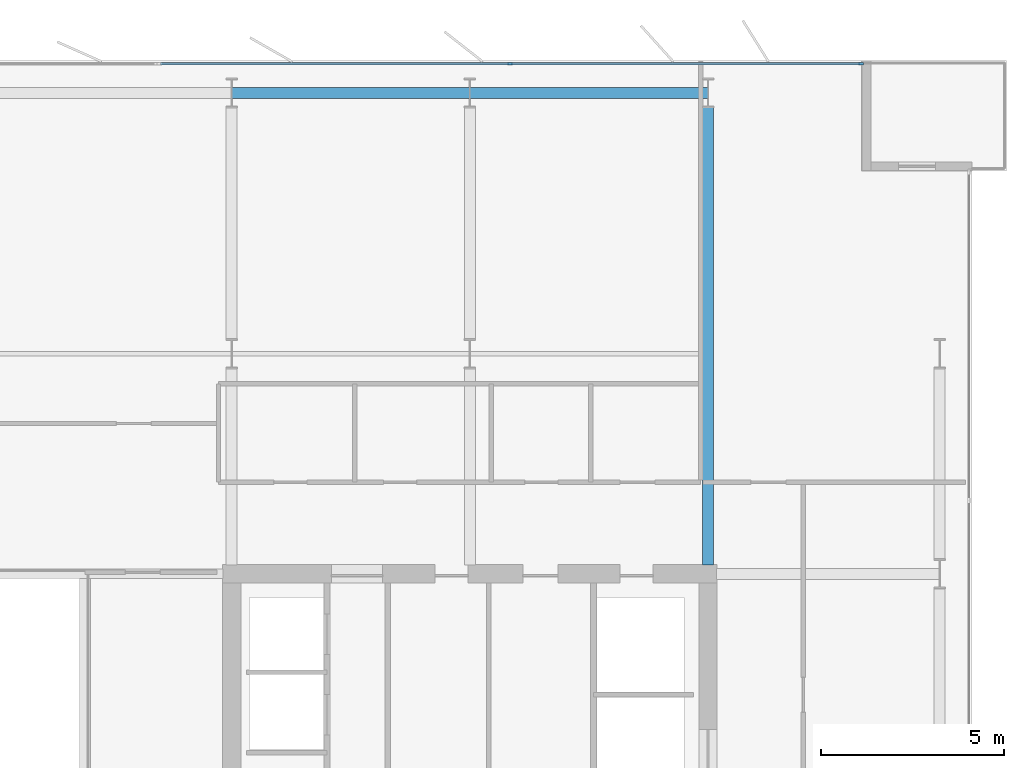
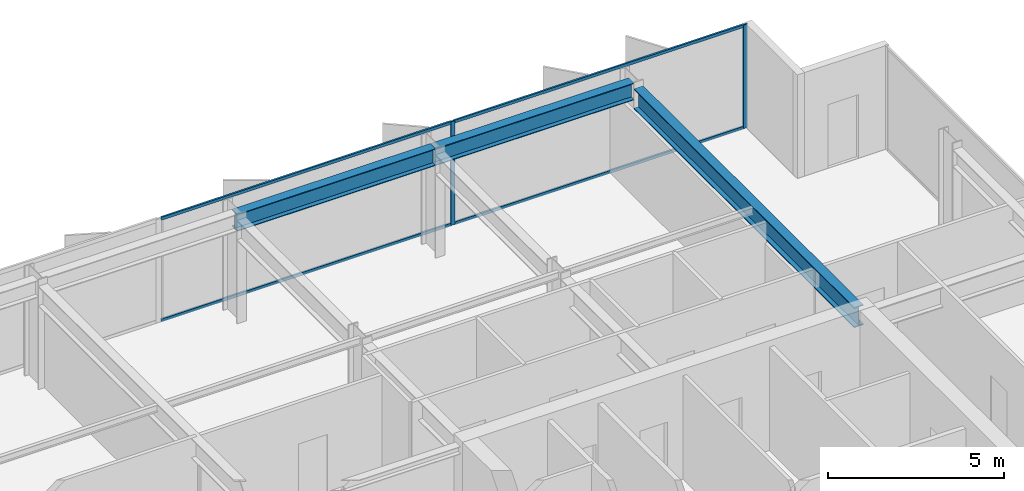
# One storey, part 13 of 23: 6 members, 3 beams, 1 element without a shape of its own.
"""IFC4 building model written with IfcOpenShell, lengths in metres."""

from ifc_helpers import new_model, si_unit, direction, frame, origin, origin_2d, place, context, subcontext, project, spatial, rectangle, i_section, extrude, material, layer, layer_set, material_profile, profile_set, type_object, element, aggregate, save


model = new_model("IFC4")

# Units and contexts
model_context = context("Model", 3, precision=1e-05, world=origin(), true_north=direction((0.0, 1.0)))
body_context = subcontext(model_context, "Body", "Model", "MODEL_VIEW")
ifc_project = project(units=[si_unit("LENGTHUNIT", "METRE"), si_unit("AREAUNIT", "SQUARE_METRE"), si_unit("VOLUMEUNIT", "CUBIC_METRE"), si_unit("PLANEANGLEUNIT", "RADIAN"), si_unit("MASSUNIT", "GRAM", prefix="KILO")], contexts=[model_context])

# Site, building, storey
site_placement = place(None, origin())
site = spatial("IfcSite", under=ifc_project, at=site_placement, CompositionType="ELEMENT")
building_placement = place(site_placement, origin())
building = spatial("IfcBuilding", under=site, at=building_placement, Name="Putna Gate Headquarters", CompositionType="ELEMENT")
storey_placement = place(building_placement, frame((0.0, 0.0, 206.199951171875)))
storey = spatial("IfcBuildingStorey", under=building, at=storey_placement, Name="L51", CompositionType="ELEMENT", Elevation=206.199951171875)

# Beams
ifc_material_1 = material(Name="Steel S355J2", Category="steel")
ifc_material_profile_1 = material_profile(ifc_material_1, i_section(OverallWidth=0.300048828125, OverallDepth=0.699951171875, WebThickness=0.01708984375, FlangeThickness=0.031982421875, at=origin_2d()), Name="Steel S355J2")
ifc_profile_set_1 = profile_set([ifc_material_profile_1], Name="Steel S355J2")
beam_type_1 = type_object("IfcBeamType", Name="BM-GIRD-B-HEB700", PredefinedType="USERDEFINED", material=ifc_profile_set_1)
beam_placement = place(storey_placement, frame((65.0, 33.235107421875, 3.22998046875), z_axis=(0.0, 1.0, 0.0), x_axis=(-1.0, 0.0, 0.0)))
element("IfcBeam", 1, at=beam_placement, inside=storey, type_object=beam_type_1, Name="L51 North Primary Girder X65", ObjectType="GIRDER", PredefinedType="USERDEFINED", context=body_context, shape_type="SweptSolid", body=[
    extrude(i_section(OverallWidth=0.300048828125, OverallDepth=0.699951171875, WebThickness=0.01708984375, FlangeThickness=0.031982421875, at=origin_2d()), origin(), (0.0, 0.0, 1.0), 12.489990234375),
])
ifc_material_profile_2 = material_profile(ifc_material_1, i_section(OverallWidth=0.300048828125, OverallDepth=0.590087890625, WebThickness=0.012939453125, FlangeThickness=0.02490234375, at=origin_2d()), Name="Steel S355J2")
ifc_profile_set_2 = profile_set([ifc_material_profile_2], Name="Steel S355J2")
beam_type_2 = type_object("IfcBeamType", Name="BM-SPAN-Z4-HEA600", PredefinedType="SPANDREL", material=ifc_profile_set_2)
for number, where, z_axis, x_axis, name in (
    (2, (52.006103515625, 46.1201171875, 3.28515625), (1.0, 0.0, 0.0), (0.0, 1.0, 0.0), "L51 N Perimeter Spandrel 7"),
    (3, (58.506103515625, 46.1201171875, 3.28515625), (1.0, 0.0, 0.0), (0.0, 1.0, 0.0), "L51 N Perimeter Spandrel 8"),
):
    element("IfcBeam", number, at=place(storey_placement, frame(where, z_axis=z_axis, x_axis=x_axis)), inside=storey, type_object=beam_type_2, Name=name, PredefinedType="SPANDREL", context=body_context, shape_type="SweptSolid", body=[
        extrude(i_section(OverallWidth=0.300048828125, OverallDepth=0.590087890625, WebThickness=0.012939453125, FlangeThickness=0.02490234375, at=origin_2d()), origin(), (0.0, 0.0, 1.0), 6.48779296875),
    ])

# Curtain wall, members
ifc_material_2 = material(Name="Anodised bronze aluminium curtain wall", Category="aluminium")
ifc_layer = layer(ifc_material_2, 0.139892578125)
ifc_layer_set = layer_set([ifc_layer], Name="Anodised bronze aluminium curtain wall")
curtain_wall_type = type_object("IfcCurtainWallType", Name="CW-SYS-Z4", PredefinedType="USERDEFINED", material=ifc_layer_set)
curtain_wall_placement = place(storey_placement, origin())
curtain_wall = element("IfcCurtainWall", 4, at=curtain_wall_placement, inside=storey, type_object=curtain_wall_type, Name="L51 North East Curtain Wall", ObjectType="STICK CURTAIN WALL", PredefinedType="USERDEFINED")
ifc_material_3 = material(Name="Anodised bronze aluminium EN AW-6060", Category="aluminium")
ifc_material_profile_3 = material_profile(ifc_material_3, rectangle(XDim=0.06005859375, YDim=0.139892578125, at=origin_2d()), Name="Anodised bronze aluminium EN AW-6060")
ifc_profile_set_3 = profile_set([ifc_material_profile_3], Name="Anodised bronze aluminium EN AW-6060")
member_type_1 = type_object("IfcMemberType", Name="MULL-CWM-4", PredefinedType="MULLION", material=ifc_profile_set_3)
member_1_placement = place(storey_placement, frame((59.60009765625, 46.919921875, 0.0), z_axis=(0.0, 0.0, 1.0), x_axis=(0.0, 1.0, 0.0)))
member_1 = element("IfcMember", 5, at=member_1_placement, type_object=member_type_1, Name="CWS-4 mullion 2", PredefinedType="MULLION", context=body_context, shape_type="SweptSolid", body=[
    extrude(rectangle(XDim=0.06005859375, YDim=0.139892578125, at=origin_2d()), origin(), (0.0, 0.0, 1.0), 3.580078125),
])
member_2_placement = place(storey_placement, frame((69.169921875, 46.919921875, 0.0), z_axis=(0.0, 0.0, 1.0), x_axis=(0.0, 1.0, 0.0)))
member_2 = element("IfcMember", 6, at=member_2_placement, type_object=member_type_1, Name="CWS-4 mullion 3", PredefinedType="MULLION", context=body_context, shape_type="SweptSolid", body=[
    extrude(rectangle(XDim=0.06005859375, YDim=0.139892578125, at=origin_2d()), origin(), (0.0, 0.0, 1.0), 3.580078125),
])
ifc_material_profile_4 = material_profile(ifc_material_3, rectangle(XDim=0.06005859375, YDim=0.10009765625, at=origin_2d()), Name="Anodised bronze aluminium EN AW-6060")
ifc_profile_set_4 = profile_set([ifc_material_profile_4], Name="Anodised bronze aluminium EN AW-6060")
member_type_2 = type_object("IfcMemberType", Name="TRAN-CWT-4", PredefinedType="USERDEFINED", material=ifc_profile_set_4)
member_3_placement = place(storey_placement, frame((50.06005859375, 46.919921875, 0.030029296875), z_axis=(1.0, 0.0, 0.0), x_axis=(0.0, 1.0, 0.0)))
member_3 = element("IfcMember", 7, at=member_3_placement, type_object=member_type_2, Name="CWS-4 transom 1.1", ObjectType="TRANSOM", PredefinedType="USERDEFINED", context=body_context, shape_type="SweptSolid", body=[
    extrude(rectangle(XDim=0.06005859375, YDim=0.10009765625, at=origin_2d()), origin(), (0.0, 0.0, 1.0), 9.510009765625),
])
member_4_placement = place(storey_placement, frame((50.06005859375, 46.919921875, 3.550048828125), z_axis=(1.0, 0.0, 0.0), x_axis=(0.0, 1.0, 0.0)))
member_4 = element("IfcMember", 8, at=member_4_placement, type_object=member_type_2, Name="CWS-4 transom 1.2", ObjectType="TRANSOM", PredefinedType="USERDEFINED", context=body_context, shape_type="SweptSolid", body=[
    extrude(rectangle(XDim=0.06005859375, YDim=0.10009765625, at=origin_2d()), origin(), (0.0, 0.0, 1.0), 9.510009765625),
])
member_5_placement = place(storey_placement, frame((59.6298828125, 46.919921875, 0.030029296875), z_axis=(1.0, 0.0, 0.0), x_axis=(0.0, 1.0, 0.0)))
member_5 = element("IfcMember", 9, at=member_5_placement, type_object=member_type_2, Name="CWS-4 transom 2.1", ObjectType="TRANSOM", PredefinedType="USERDEFINED", context=body_context, shape_type="SweptSolid", body=[
    extrude(rectangle(XDim=0.06005859375, YDim=0.10009765625, at=origin_2d()), origin(), (0.0, 0.0, 1.0), 9.510009765625),
])
member_6_placement = place(storey_placement, frame((59.6298828125, 46.919921875, 3.550048828125), z_axis=(1.0, 0.0, 0.0), x_axis=(0.0, 1.0, 0.0)))
member_6 = element("IfcMember", 10, at=member_6_placement, type_object=member_type_2, Name="CWS-4 transom 2.2", ObjectType="TRANSOM", PredefinedType="USERDEFINED", context=body_context, shape_type="SweptSolid", body=[
    extrude(rectangle(XDim=0.06005859375, YDim=0.10009765625, at=origin_2d()), origin(), (0.0, 0.0, 1.0), 9.510009765625),
])
aggregate(curtain_wall, [member_1, member_2, member_3, member_4, member_5, member_6])

save(model, "model.ifc")
